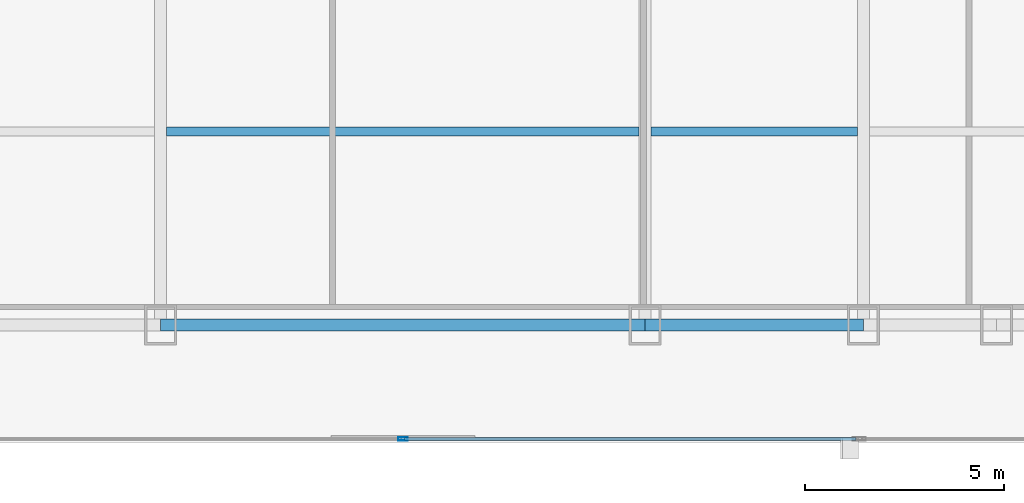
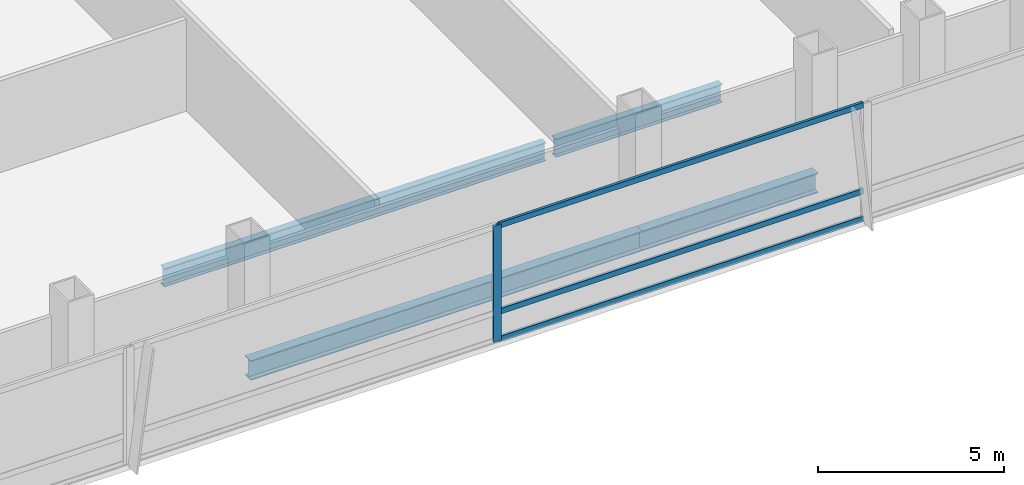
# One storey, part 12 of 32: 4 beams, 4 members, 1 element without a shape of its own.
"""IFC4 building model written with IfcOpenShell, lengths in metres."""

from ifc_helpers import new_model, si_unit, direction, frame, origin, origin_2d, place, context, subcontext, project, spatial, hollow_rectangle, i_section, extrude, material, material_profile, profile_set, type_object, element, aggregate, save


model = new_model("IFC4")

# Units and contexts
model_context = context("Model", 3, precision=1e-05, world=origin(), true_north=direction((0.0, 1.0)))
body_context = subcontext(model_context, "Body", "Model", "MODEL_VIEW")
ifc_project = project(units=[si_unit("LENGTHUNIT", "METRE"), si_unit("AREAUNIT", "SQUARE_METRE"), si_unit("VOLUMEUNIT", "CUBIC_METRE"), si_unit("PLANEANGLEUNIT", "RADIAN"), si_unit("MASSUNIT", "GRAM", prefix="KILO")], contexts=[model_context])

# Site, building, storey
site_placement = place(None, origin())
site = spatial("IfcSite", under=ifc_project, at=site_placement, CompositionType="ELEMENT")
building_placement = place(site_placement, origin())
building = spatial("IfcBuilding", under=site, at=building_placement, Name="Khoronbel Lancet Exchange", CompositionType="ELEMENT")
storey_placement = place(building_placement, frame((0.0, 0.0, 65.800048828125)))
storey = spatial("IfcBuildingStorey", under=building, at=storey_placement, Name="L15", CompositionType="ELEMENT", Elevation=65.800048828125)

# Beams
ifc_material_1 = material(Name="Steel S355", Category="steel")
ifc_material_profile_1 = material_profile(ifc_material_1, i_section(OverallWidth=0.219970703125, OverallDepth=0.60009765625, WebThickness=0.011962890625, FlangeThickness=0.01904296875, at=origin_2d()), Name="IPE 600")
ifc_profile_set_1 = profile_set([ifc_material_profile_1], Name="Steel S355")
beam_type_1 = type_object("IfcBeamType", Name="BM-BJ1", PredefinedType="JOIST", material=ifc_profile_set_1)
beam_1_placement = place(storey_placement, frame((30.52490234375, 15.0, -0.47998046875), z_axis=(1.0, 0.0, 0.0), x_axis=(0.0, 1.0, 0.0)))
element("IfcBeam", 1, at=beam_1_placement, inside=storey, type_object=beam_type_1, Name="Level L15 secondary composite joist J03", PredefinedType="JOIST", context=body_context, shape_type="SweptSolid", body=[
    extrude(i_section(OverallWidth=0.219970703125, OverallDepth=0.60009765625, WebThickness=0.011962890625, FlangeThickness=0.01904296875, at=origin_2d()), origin(), (0.0, 0.0, 1.0), 11.85009765625),
])
beam_2_placement = place(storey_placement, frame((42.675048828125, 15.0, -0.47998046875), z_axis=(1.0, 0.0, 0.0), x_axis=(0.0, 1.0, 0.0)))
element("IfcBeam", 2, at=beam_2_placement, inside=storey, type_object=beam_type_1, Name="Level L15 secondary composite joist J04", PredefinedType="JOIST", context=body_context, shape_type="SweptSolid", body=[
    extrude(i_section(OverallWidth=0.219970703125, OverallDepth=0.60009765625, WebThickness=0.011962890625, FlangeThickness=0.01904296875, at=origin_2d()), origin(), (0.0, 0.0, 1.0), 5.175048828125),
])
ifc_material_profile_2 = material_profile(ifc_material_1, i_section(OverallWidth=0.300048828125, OverallDepth=0.64990234375, WebThickness=0.01611328125, FlangeThickness=0.031005859375, at=origin_2d()), Name="HEB 650")
ifc_profile_set_2 = profile_set([ifc_material_profile_2], Name="Steel S355")
beam_type_2 = type_object("IfcBeamType", Name="BM-BSP1", PredefinedType="SPANDREL", material=ifc_profile_set_2)
beam_3_placement = place(storey_placement, frame((30.375, 10.14990234375, -0.505126953125), z_axis=(1.0, 0.0, 0.0), x_axis=(0.0, 1.0, 0.0)))
element("IfcBeam", 3, at=beam_3_placement, inside=storey, type_object=beam_type_2, Name="Level L15 perimeter spandrel beam SP05", PredefinedType="SPANDREL", context=body_context, shape_type="SweptSolid", body=[
    extrude(i_section(OverallWidth=0.300048828125, OverallDepth=0.64990234375, WebThickness=0.01611328125, FlangeThickness=0.031005859375, at=origin_2d()), origin(), (0.0, 0.0, 1.0), 12.14990234375),
])
beam_4_placement = place(storey_placement, frame((42.52490234375, 10.14990234375, -0.505126953125), z_axis=(1.0, 0.0, 0.0), x_axis=(0.0, 1.0, 0.0)))
element("IfcBeam", 4, at=beam_4_placement, inside=storey, type_object=beam_type_2, Name="Level L15 perimeter spandrel beam SP06", PredefinedType="SPANDREL", context=body_context, shape_type="SweptSolid", body=[
    extrude(i_section(OverallWidth=0.300048828125, OverallDepth=0.64990234375, WebThickness=0.01611328125, FlangeThickness=0.031005859375, at=origin_2d()), origin(), (0.0, 0.0, 1.0), 5.47509765625),
])

# Curtain wall, members
ifc_material_2 = material(Name="Low-E Solar Control Insulating Glass", Category="glass")
curtain_wall_type = type_object("IfcCurtainWallType", Name="CW-1", PredefinedType="NOTDEFINED", material=ifc_material_2)
curtain_wall_placement = place(storey_placement, origin())
curtain_wall = element("IfcCurtainWall", 5, at=curtain_wall_placement, inside=storey, type_object=curtain_wall_type, Name="Unitised curtain wall CW-L15-SCV", PredefinedType="NOTDEFINED")
ifc_material_3 = material(Name="Bronze-Anodised Aluminium 6063-T6", Category="aluminium")
ifc_material_profile_3 = material_profile(ifc_material_3, hollow_rectangle(XDim=0.0849609375, YDim=0.239990234375, WallThickness=0.006103515625, at=origin_2d()), Name="ALU MULLION 85x240")
ifc_profile_set_3 = profile_set([ifc_material_profile_3], Name="Bronze-Anodised Aluminium 6063-T6")
member_type_1 = type_object("IfcMemberType", Name="MEM-CWM1", PredefinedType="MULLION", material=ifc_profile_set_3)
member_1_placement = place(storey_placement, frame((36.449951171875, 7.2900390625, 0.0), z_axis=(0.0, 0.0, 1.0), x_axis=(0.0, 1.0, 0.0)))
member_1 = element("IfcMember", 6, at=member_1_placement, type_object=member_type_1, Name="CW1 mullion 2", PredefinedType="MULLION", context=body_context, shape_type="SweptSolid", body=[
    extrude(hollow_rectangle(XDim=0.0849609375, YDim=0.239990234375, WallThickness=0.006103515625, at=origin_2d()), origin(), (0.0, 0.0, 1.0), 3.820068359375),
])
ifc_material_profile_4 = material_profile(ifc_material_3, hollow_rectangle(XDim=0.0849609375, YDim=0.179931640625, WallThickness=0.0048828125, at=origin_2d()), Name="ALU TRANSOM 85x180")
ifc_profile_set_4 = profile_set([ifc_material_profile_4], Name="Bronze-Anodised Aluminium 6063-T6")
member_type_2 = type_object("IfcMemberType", Name="MEM-CWT1", PredefinedType="USERDEFINED", material=ifc_profile_set_4)
member_2_placement = place(storey_placement, frame((36.492431640625, 7.2900390625, 0.04248046875), z_axis=(1.0, 0.0, 0.0), x_axis=(0.0, 1.0, 0.0)))
member_2 = element("IfcMember", 7, at=member_2_placement, type_object=member_type_2, Name="CW1 transom 2.1", ObjectType="TRANSOM", PredefinedType="USERDEFINED", context=body_context, shape_type="SweptSolid", body=[
    extrude(hollow_rectangle(XDim=0.0849609375, YDim=0.179931640625, WallThickness=0.0048828125, at=origin_2d()), origin(), (0.0, 0.0, 1.0), 11.322509765625),
])
member_3_placement = place(storey_placement, frame((36.492431640625, 7.2900390625, 0.949951171875), z_axis=(1.0, 0.0, 0.0), x_axis=(0.0, 1.0, 0.0)))
member_3 = element("IfcMember", 8, at=member_3_placement, type_object=member_type_2, Name="CW1 transom 2.2", ObjectType="TRANSOM", PredefinedType="USERDEFINED", context=body_context, shape_type="SweptSolid", body=[
    extrude(hollow_rectangle(XDim=0.0849609375, YDim=0.179931640625, WallThickness=0.0048828125, at=origin_2d()), origin(), (0.0, 0.0, 1.0), 11.322509765625),
])
member_4_placement = place(storey_placement, frame((36.492431640625, 7.2900390625, 3.77734375), z_axis=(1.0, 0.0, 0.0), x_axis=(0.0, 1.0, 0.0)))
member_4 = element("IfcMember", 9, at=member_4_placement, type_object=member_type_2, Name="CW1 transom 2.3", ObjectType="TRANSOM", PredefinedType="USERDEFINED", context=body_context, shape_type="SweptSolid", body=[
    extrude(hollow_rectangle(XDim=0.0849609375, YDim=0.179931640625, WallThickness=0.0048828125, at=origin_2d()), origin(), (0.0, 0.0, 1.0), 11.322509765625),
])
aggregate(curtain_wall, [member_1, member_2, member_3, member_4])

save(model, "model.ifc")
